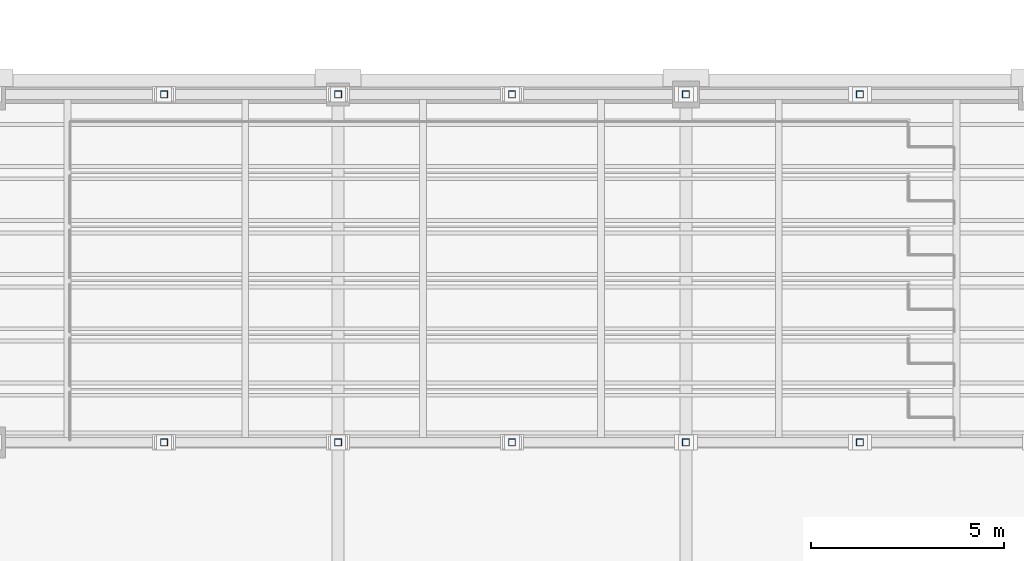
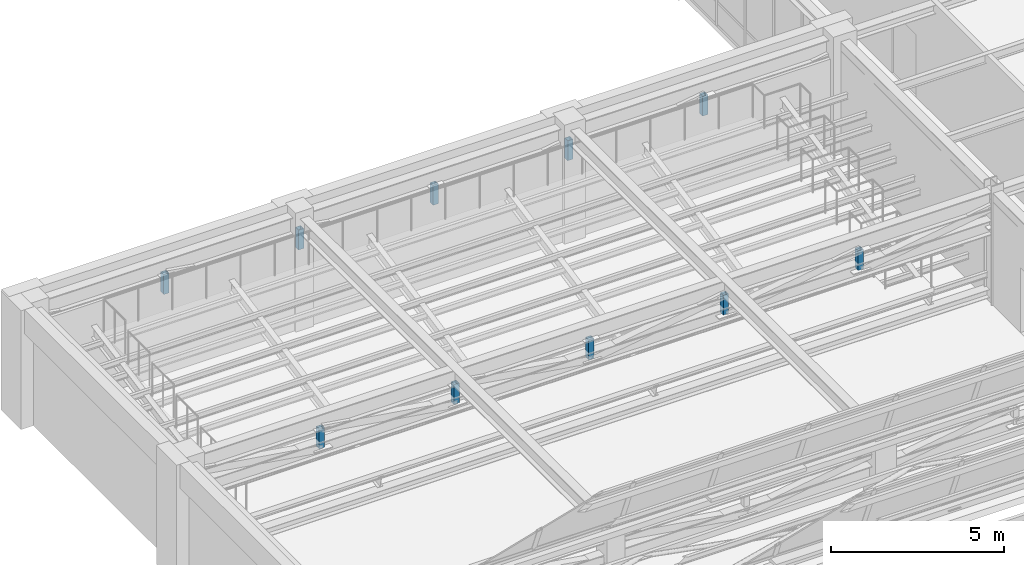
# One storey, part 78 of 108: 10 members.
"""IFC4 building model written with IfcOpenShell, lengths in metres."""

from ifc_helpers import new_model, si_unit, direction, frame, origin, origin_2d, place, context, subcontext, project, spatial, hollow_rectangle, extrude, material, material_profile, profile_set, type_object, element, save


model = new_model("IFC4")

# Units and contexts
model_context = context("Model", 3, precision=1e-05, world=origin(), true_north=direction((0.0, 1.0)))
body_context = subcontext(model_context, "Body", "Model", "MODEL_VIEW")
ifc_project = project(units=[si_unit("LENGTHUNIT", "METRE"), si_unit("AREAUNIT", "SQUARE_METRE"), si_unit("VOLUMEUNIT", "CUBIC_METRE"), si_unit("PLANEANGLEUNIT", "RADIAN"), si_unit("MASSUNIT", "GRAM", prefix="KILO")], contexts=[model_context])

# Site, building, storey
site_placement = place(None, origin())
site = spatial("IfcSite", under=ifc_project, at=site_placement, CompositionType="ELEMENT")
building_placement = place(site_placement, origin())
building = spatial("IfcBuilding", under=site, at=building_placement, Name="Lykobir Media Centre", CompositionType="ELEMENT")
storey_placement = place(building_placement, frame((0.0, 0.0, 15.0)))
storey = spatial("IfcBuildingStorey", under=building, at=storey_placement, Name="L03", CompositionType="ELEMENT", Elevation=15.0)

# Members
ifc_material = material(Name="Steel S355", Category="steel")
ifc_material_profile_1 = material_profile(ifc_material, hollow_rectangle(XDim=0.179931640625, YDim=0.179931640625, WallThickness=0.010009765625, at=origin_2d()), Name="SHS 180x180x10")
ifc_profile_set_1 = profile_set([ifc_material_profile_1], Name="Steel S355")
member_type_1 = type_object("IfcMemberType", Name="BR-SHS180", PredefinedType="BRACE", material=ifc_profile_set_1)
for number, where, z_axis, x_axis, name in (
    (1, (4.5, 36.0, 2.699951171875), (0.0, 0.0, 1.0), (1.0, 0.0, 0.0), "Diagonal brace MEM2-L03-0045-0360-0177-0045-0360-0112"),
    (2, (9.0, 36.0, 2.699951171875), (0.0, 0.0, 1.0), (1.0, 0.0, 0.0), "Diagonal brace MEM2-L03-0090-0360-0177-0090-0360-0114"),
    (3, (13.5, 36.0, 2.699951171875), (0.0, 0.0, 1.0), (1.0, 0.0, 0.0), "Diagonal brace MEM2-L03-0135-0360-0177-0135-0360-0116"),
    (4, (18.0, 36.0, 2.699951171875), (0.0, 0.0, 1.0), (1.0, 0.0, 0.0), "Diagonal brace MEM2-L03-0180-0360-0177-0180-0360-0118"),
    (5, (22.5, 36.0, 2.699951171875), (0.0, 0.0, 1.0), (1.0, 0.0, 0.0), "Diagonal brace MEM2-L03-0225-0360-0177-0225-0360-0120"),
):
    element("IfcMember", number, at=place(storey_placement, frame(where, z_axis=z_axis, x_axis=x_axis)), inside=storey, type_object=member_type_1, Name=name, PredefinedType="BRACE", context=body_context, shape_type="SweptSolid", body=[
        extrude(hollow_rectangle(XDim=0.179931640625, YDim=0.179931640625, WallThickness=0.010009765625, at=origin_2d()), origin(), (0.0, 0.0, 1.0), 0.699951171875),
    ])
ifc_material_profile_2 = material_profile(ifc_material, hollow_rectangle(XDim=0.179931640625, YDim=0.179931640625, WallThickness=0.010009765625, at=origin_2d()), Name="SHS 180x180x10")
ifc_profile_set_2 = profile_set([ifc_material_profile_2], Name="Steel S355")
member_type_2 = type_object("IfcMemberType", Name="BR-SHS180-E", PredefinedType="BRACE", material=ifc_profile_set_2)
for number, where, z_axis, x_axis, name in (
    (6, (4.5, 45.0, 2.699951171875), (0.0, 0.0, 1.0), (1.0, 0.0, 0.0), "Diagonal brace MEM2-L03-0045-0450-0177-0045-0450-0124"),
    (7, (9.0, 45.0, 2.699951171875), (0.0, 0.0, 1.0), (1.0, 0.0, 0.0), "Diagonal brace MEM2-L03-0090-0450-0177-0090-0450-0126"),
    (8, (13.5, 45.0, 2.699951171875), (0.0, 0.0, 1.0), (1.0, 0.0, 0.0), "Diagonal brace MEM2-L03-0135-0450-0177-0135-0450-0128"),
    (9, (18.0, 45.0, 2.699951171875), (0.0, 0.0, 1.0), (1.0, 0.0, 0.0), "Diagonal brace MEM2-L03-0180-0450-0177-0180-0450-0130"),
    (10, (22.5, 45.0, 2.699951171875), (0.0, 0.0, 1.0), (1.0, 0.0, 0.0), "Diagonal brace MEM2-L03-0225-0450-0177-0225-0450-0132"),
):
    element("IfcMember", number, at=place(storey_placement, frame(where, z_axis=z_axis, x_axis=x_axis)), inside=storey, type_object=member_type_2, Name=name, PredefinedType="BRACE", context=body_context, shape_type="SweptSolid", body=[
        extrude(hollow_rectangle(XDim=0.179931640625, YDim=0.179931640625, WallThickness=0.010009765625, at=origin_2d()), origin(), (0.0, 0.0, 1.0), 0.699951171875),
    ])

save(model, "model.ifc")
